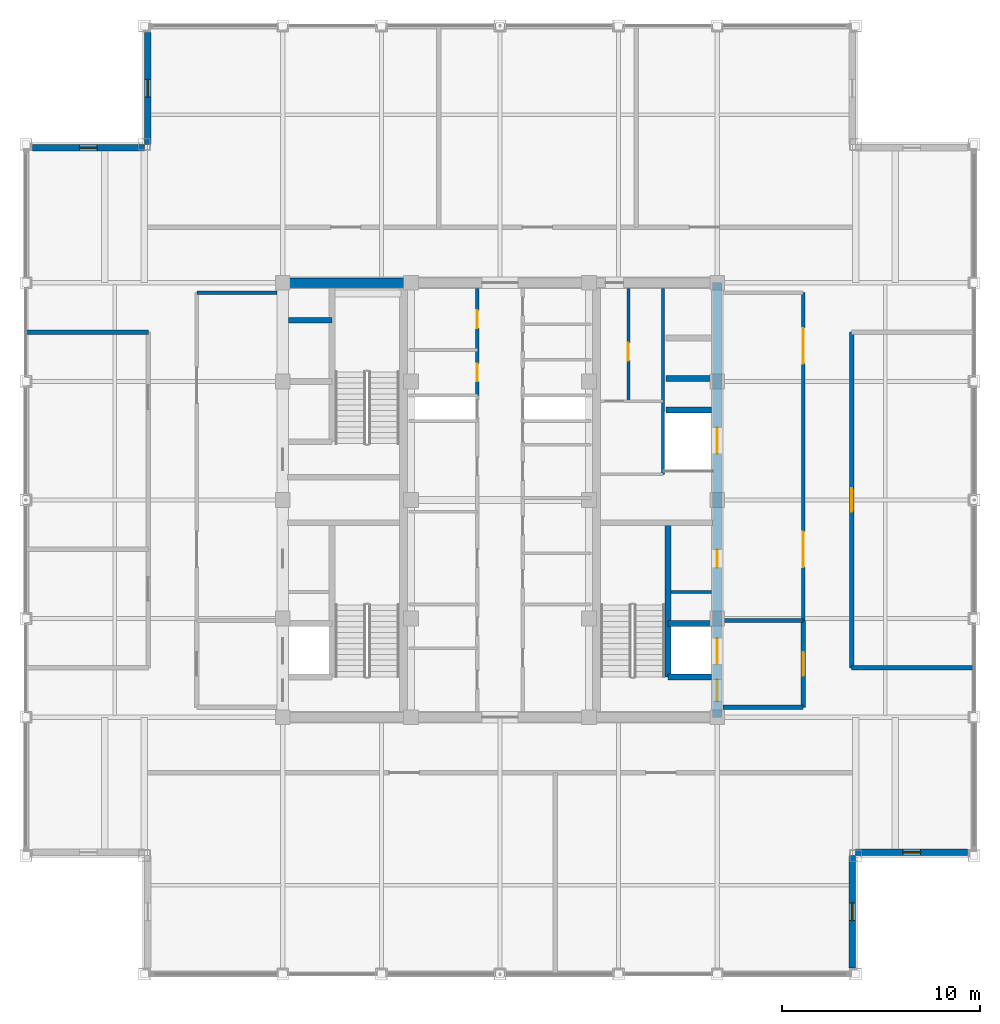
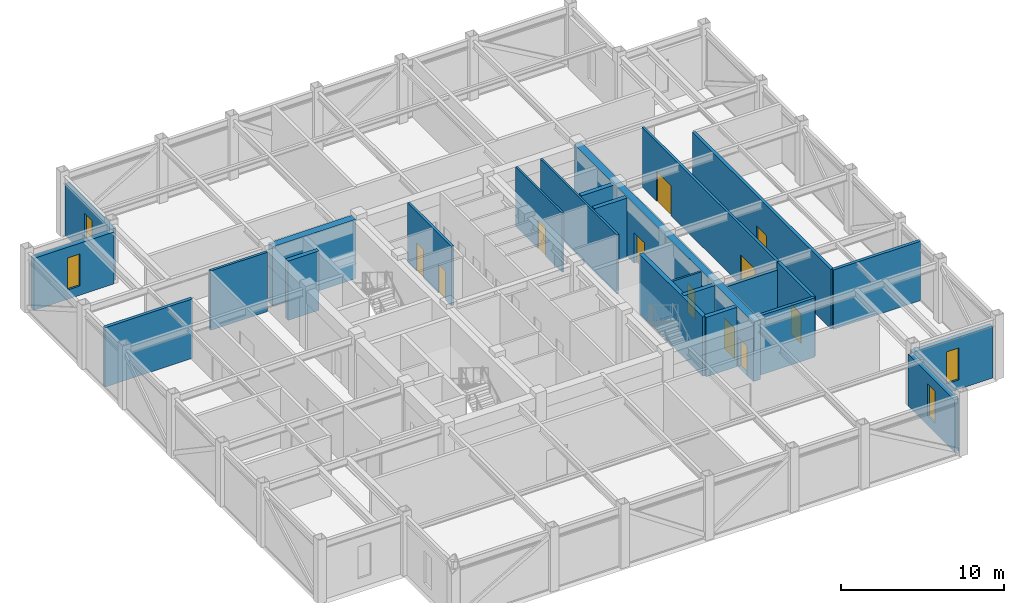
# One storey, part 25 of 27: 24 walls, 11 doors, 4 windows, 15 openings.
"""IFC4 building model written with IfcOpenShell, lengths in metres."""

from ifc_helpers import new_model, si_unit, direction, frame, frame_2d, origin, place, context, subcontext, project, spatial, rectangle, extrude, source, transform, mapped, material, layer, layer_set, type_object, element, fill, save


model = new_model("IFC4")

# Units and contexts
model_context = context("Model", 3, precision=1e-05, world=origin(), true_north=direction((0.0, 1.0)))
body_context = subcontext(model_context, "Body", "Model", "MODEL_VIEW")
ifc_project = project(units=[si_unit("LENGTHUNIT", "METRE"), si_unit("AREAUNIT", "SQUARE_METRE"), si_unit("VOLUMEUNIT", "CUBIC_METRE"), si_unit("PLANEANGLEUNIT", "RADIAN"), si_unit("MASSUNIT", "GRAM", prefix="KILO")], contexts=[model_context])

# Site, building, storey
site_placement = place(None, origin())
site = spatial("IfcSite", under=ifc_project, at=site_placement, CompositionType="ELEMENT")
building_placement = place(site_placement, origin())
building = spatial("IfcBuilding", under=site, at=building_placement, Name="Khorayat Bourse Tower", CompositionType="ELEMENT")
storey_placement = place(building_placement, frame((0.0, 0.0, 394.699951171875)))
storey = spatial("IfcBuildingStorey", under=building, at=storey_placement, Name="L93", CompositionType="ELEMENT", Elevation=394.699951171875)

# Wall, openings, doors
ifc_material_1 = material(Name="Concrete C52/65", Category="concrete")
ifc_layer_1 = layer(ifc_material_1, 0.5)
ifc_layer_set_1 = layer_set([ifc_layer_1], Name="Concrete C52/65")
wall_type_1 = type_object("IfcWallType", Name="WAL-CORE-500", PredefinedType="SHEAR", material=ifc_layer_set_1)
shared_shape_1 = source(origin(), body_context, "Body", "SweptSolid", [
    extrude(rectangle(XDim=22.0, YDim=0.5, at=frame_2d((11.0, 0.0))), origin(), (0.0, 0.0, 1.0), 4.449951171875),
])
wall_1_placement = place(storey_placement, frame((11.0, -11.0, 0.0), z_axis=(0.0, 0.0, 1.0), x_axis=(0.0, 1.0, 0.0)))
wall_1 = element("IfcWall", 1, at=wall_1_placement, inside=storey, type_object=wall_type_1, Name="L93 Core Shear Wall CORE-E", PredefinedType="SHEAR", context=body_context, shape_type="MappedRepresentation", body=[
    mapped(shared_shape_1, transform((0.0, 0.0, 0.0), scale=1.0)),
])
shared_shape_2 = source(origin(), body_context, "Body", "SweptSolid", [
    extrude(rectangle(XDim=1.10009765625, YDim=2.199951171875, at=frame_2d((0.550048828125, 1.10009765625))), frame((0.0, 0.260009765625, 0.0), z_axis=(0.0, -1.0, 0.0), x_axis=(1.0, 0.0, 0.0)), (0.0, 0.0, 1.0), 0.52001953125),
])
opening_1_placement = place(wall_1_placement, frame((0.800048828125, 0.0, 0.0)))
opening_1 = element("IfcOpeningElement", 2, at=opening_1_placement, cuts=wall_1, Name="Opening DI-01", PredefinedType="OPENING", context=body_context, shape_type="MappedRepresentation", body=[
    mapped(shared_shape_2, transform((0.0, 0.0, 0.0), scale=1.0)),
])
shared_shape_3 = source(origin(), body_context, "Body", "SweptSolid", [
    extrude(rectangle(XDim=0.89990234375, YDim=2.14990234375, at=frame_2d((0.449951171875, 1.074951171875))), frame((0.0, 0.260009765625, 0.0), z_axis=(0.0, -1.0, 0.0), x_axis=(1.0, 0.0, 0.0)), (0.0, 0.0, 1.0), 0.52001953125),
])
opening_2_placement = place(wall_1_placement, frame((7.574951171875, 0.0, 0.0)))
opening_2 = element("IfcOpeningElement", 3, at=opening_2_placement, cuts=wall_1, Name="Opening DI-06", PredefinedType="OPENING", context=body_context, shape_type="MappedRepresentation", body=[
    mapped(shared_shape_3, transform((0.0, 0.0, 0.0), scale=1.0)),
])
shared_shape_4 = source(origin(), body_context, "Body", "SweptSolid", [
    extrude(rectangle(XDim=1.300048828125, YDim=2.300048828125, at=frame_2d((0.64990234375, 1.14990234375))), frame((0.0, 0.260009765625, 0.0), z_axis=(0.0, -1.0, 0.0), x_axis=(1.0, 0.0, 0.0)), (0.0, 0.0, 1.0), 0.52001953125),
])
opening_3_placement = place(wall_1_placement, frame((2.699951171875, 0.0, 0.0)))
opening_3 = element("IfcOpeningElement", 4, at=opening_3_placement, cuts=wall_1, Name="Opening LD-02", PredefinedType="OPENING", context=body_context, shape_type="MappedRepresentation", body=[
    mapped(shared_shape_4, transform((0.0, 0.0, 0.0), scale=1.0)),
])
opening_4_placement = place(wall_1_placement, frame((13.35009765625, 0.0, 0.0)))
opening_4 = element("IfcOpeningElement", 5, at=opening_4_placement, cuts=wall_1, Name="Opening LD-02", PredefinedType="OPENING", context=body_context, shape_type="MappedRepresentation", body=[
    mapped(shared_shape_4, transform((0.0, 0.0, 0.0), scale=1.0)),
])
ifc_material_2 = material(Name="Fire-rated steel acoustic leaf", Category="steel")
door_type_1 = type_object("IfcDoorType", Name="DR-INT-STAIR-1100", OperationType="NOTDEFINED", PredefinedType="DOOR", material=ifc_material_2)
shared_shape_5 = source(origin(), body_context, "Body", "SweptSolid", [
    extrude(rectangle(XDim=1.10009765625, YDim=2.199951171875, at=frame_2d((0.550048828125, 1.10009765625))), frame((0.0, 0.02490234375, 0.0), z_axis=(0.0, -1.0, 0.0), x_axis=(1.0, 0.0, 0.0)), (0.0, 0.0, 1.0), 0.050048828125),
])
door_1_placement = place(opening_1_placement, origin())
door_1 = element("IfcDoor", 6, at=door_1_placement, inside=storey, type_object=door_type_1, Name="L93 Exit Stair 3 Door", OperationType="SINGLE_SWING_LEFT", OverallHeight=2.199951171875, OverallWidth=1.10009765625, PredefinedType="DOOR", context=body_context, shape_type="MappedRepresentation", body=[
    mapped(shared_shape_5, transform((0.0, 0.0, 0.0), scale=1.0)),
])
fill(opening_1, door_1)
ifc_material_3 = material(Name="Moisture-resistant laminate washroom door")
door_type_2 = type_object("IfcDoorType", Name="DR-INT-WC-900", OperationType="NOTDEFINED", PredefinedType="DOOR", material=ifc_material_3)
shared_shape_6 = source(origin(), body_context, "Body", "SweptSolid", [
    extrude(rectangle(XDim=0.89990234375, YDim=2.14990234375, at=frame_2d((0.449951171875, 1.074951171875))), frame((0.0, 0.02490234375, 0.0), z_axis=(0.0, -1.0, 0.0), x_axis=(1.0, 0.0, 0.0)), (0.0, 0.0, 1.0), 0.050048828125),
])
door_2_placement = place(opening_2_placement, origin())
door_2 = element("IfcDoor", 7, at=door_2_placement, inside=storey, type_object=door_type_2, Name="L93 Fiber Server Plant Room Door", OperationType="SINGLE_SWING_LEFT", OverallHeight=2.14990234375, OverallWidth=0.89990234375, PredefinedType="DOOR", context=body_context, shape_type="MappedRepresentation", body=[
    mapped(shared_shape_6, transform((0.0, 0.0, 0.0), scale=1.0)),
])
fill(opening_2, door_2)
ifc_material_4 = material(Name="Fire-rated stainless-steel sliding landing door", Category="steel")
door_type_3 = type_object("IfcDoorType", Name="DR-LIFT-FF-1300", OperationType="NOTDEFINED", PredefinedType="DOOR", material=ifc_material_4)
shared_shape_7 = source(origin(), body_context, "Body", "SweptSolid", [
    extrude(rectangle(XDim=1.300048828125, YDim=2.300048828125, at=frame_2d((0.64990234375, 1.14990234375))), frame((0.0, 0.02490234375, 0.0), z_axis=(0.0, -1.0, 0.0), x_axis=(1.0, 0.0, 0.0)), (0.0, 0.0, 1.0), 0.050048828125),
])
door_3_placement = place(opening_3_placement, origin())
door_3 = element("IfcDoor", 8, at=door_3_placement, inside=storey, type_object=door_type_3, Name="L93 Lift FFL-02 Sliding Landing Door", OperationType="SLIDING_TO_LEFT", OverallHeight=2.300048828125, OverallWidth=1.300048828125, PredefinedType="DOOR", context=body_context, shape_type="MappedRepresentation", body=[
    mapped(shared_shape_7, transform((0.0, 0.0, 0.0), scale=1.0)),
])
fill(opening_3, door_3)
door_4_placement = place(opening_4_placement, origin())
door_4 = element("IfcDoor", 9, at=door_4_placement, inside=storey, type_object=door_type_3, Name="L93 Lift SVL-01 Sliding Landing Door", OperationType="SLIDING_TO_LEFT", OverallHeight=2.300048828125, OverallWidth=1.300048828125, PredefinedType="DOOR", context=body_context, shape_type="MappedRepresentation", body=[
    mapped(shared_shape_7, transform((0.0, 0.0, 0.0), scale=1.0)),
])
fill(opening_4, door_4)

# Wall
shared_shape_8 = source(origin(), body_context, "Body", "SweptSolid", [
    extrude(rectangle(XDim=5.89990234375, YDim=0.5, at=frame_2d((2.949951171875, 0.0))), origin(), (0.0, 0.0, 1.0), 4.449951171875),
])
wall_2_placement = place(storey_placement, frame((-10.75, 11.0, 0.0), z_axis=(0.0, 0.0, 1.0), x_axis=(1.0, 0.0, 0.0)))
element("IfcWall", 10, at=wall_2_placement, inside=storey, type_object=wall_type_1, Name="L93 Core Shear Wall PIER-WN", PredefinedType="SHEAR", context=body_context, shape_type="MappedRepresentation", body=[
    mapped(shared_shape_8, transform((0.0, 0.0, 0.0), scale=1.0)),
])

# Wall, opening, window
ifc_material_5 = material(Name="Precast concrete C45/55", Category="concrete")
ifc_layer_2 = layer(ifc_material_5, 0.320068359375)
ifc_layer_set_2 = layer_set([ifc_layer_2], Name="Precast concrete C45/55")
wall_type_2 = type_object("IfcWallType", Name="WAL-EXT-STONE-320", PredefinedType="STANDARD", material=ifc_layer_set_2)
shared_shape_9 = source(origin(), body_context, "Body", "SweptSolid", [
    extrude(rectangle(XDim=5.679931640625, YDim=0.320068359375, at=frame_2d((2.83984375, 0.0))), origin(), (0.0, 0.0, 1.0), 3.901123046875),
])
wall_3_placement = place(storey_placement, frame((17.840087890625, -23.679931640625, 0.0), z_axis=(0.0, 0.0, 1.0), x_axis=(0.0, 1.0, 0.0)))
wall_3 = element("IfcWall", 11, at=wall_3_placement, inside=storey, type_object=wall_type_2, Name="L93 Re-Entrant Notch Limestone Wall SE-V", PredefinedType="STANDARD", context=body_context, shape_type="MappedRepresentation", body=[
    mapped(shared_shape_9, transform((0.0, 0.0, 0.0), scale=1.0)),
])
shared_shape_10 = source(origin(), body_context, "Body", "SweptSolid", [
    extrude(rectangle(XDim=0.89990234375, YDim=2.39990234375, at=frame_2d((0.449951171875, 1.199951171875))), frame((0.0, 0.169921875, 0.0), z_axis=(0.0, -1.0, 0.0), x_axis=(1.0, 0.0, 0.0)), (0.0, 0.0, 1.0), 0.340087890625),
])
opening_5_placement = place(wall_3_placement, frame((2.389892578125, 0.0, 0.699951171875)))
opening_5 = element("IfcOpeningElement", 12, at=opening_5_placement, cuts=wall_3, Name="Opening WN-03", PredefinedType="OPENING", context=body_context, shape_type="MappedRepresentation", body=[
    mapped(shared_shape_10, transform((0.0, 0.0, 0.0), scale=1.0)),
])
ifc_material_6 = material(Name="Deep-reveal solar-control double glazing", Category="glass")
window_type = type_object("IfcWindowType", Name="WIN-SLOT-900x2400", PartitioningType="SINGLE_PANEL", PredefinedType="WINDOW", material=ifc_material_6)
shared_shape_11 = source(origin(), body_context, "Body", "SweptSolid", [
    extrude(rectangle(XDim=0.89990234375, YDim=2.39990234375, at=frame_2d((0.449951171875, 1.199951171875))), frame((0.0, 0.030029296875, 0.0), z_axis=(0.0, -1.0, 0.0), x_axis=(1.0, 0.0, 0.0)), (0.0, 0.0, 1.0), 0.06005859375),
])
window_1_placement = place(opening_5_placement, origin())
window_1 = element("IfcWindow", 13, at=window_1_placement, inside=storey, type_object=window_type, Name="L93 Facade Window 1", OverallHeight=2.39990234375, OverallWidth=0.89990234375, PartitioningType="SINGLE_PANEL", PredefinedType="WINDOW", context=body_context, shape_type="MappedRepresentation", body=[
    mapped(shared_shape_11, transform((0.0, 0.0, 0.0), scale=1.0)),
])
fill(opening_5, window_1)

wall_4_placement = place(storey_placement, frame((18.0, -17.840087890625, 0.0), z_axis=(0.0, 0.0, 1.0), x_axis=(1.0, 0.0, 0.0)))
wall_4 = element("IfcWall", 14, at=wall_4_placement, inside=storey, type_object=wall_type_2, Name="L93 Re-Entrant Notch Limestone Wall SE-H", PredefinedType="STANDARD", context=body_context, shape_type="MappedRepresentation", body=[
    mapped(shared_shape_9, transform((0.0, 0.0, 0.0), scale=1.0)),
])
opening_6_placement = place(wall_4_placement, frame((2.389892578125, 0.0, 0.699951171875)))
opening_6 = element("IfcOpeningElement", 15, at=opening_6_placement, cuts=wall_4, Name="Opening WN-03", PredefinedType="OPENING", context=body_context, shape_type="MappedRepresentation", body=[
    mapped(shared_shape_10, transform((0.0, 0.0, 0.0), scale=1.0)),
])
window_2_placement = place(opening_6_placement, origin())
window_2 = element("IfcWindow", 16, at=window_2_placement, inside=storey, type_object=window_type, Name="L93 Facade Window 1", OverallHeight=2.39990234375, OverallWidth=0.89990234375, PartitioningType="SINGLE_PANEL", PredefinedType="WINDOW", context=body_context, shape_type="MappedRepresentation", body=[
    mapped(shared_shape_11, transform((0.0, 0.0, 0.0), scale=1.0)),
])
fill(opening_6, window_2)

wall_5_placement = place(storey_placement, frame((-17.840087890625, 18.0, 0.0), z_axis=(0.0, 0.0, 1.0), x_axis=(0.0, 1.0, 0.0)))
wall_5 = element("IfcWall", 17, at=wall_5_placement, inside=storey, type_object=wall_type_2, Name="L93 Re-Entrant Notch Limestone Wall NW-V", PredefinedType="STANDARD", context=body_context, shape_type="MappedRepresentation", body=[
    mapped(shared_shape_9, transform((0.0, 0.0, 0.0), scale=1.0)),
])
opening_7_placement = place(wall_5_placement, frame((2.389892578125, 0.0, 0.699951171875)))
opening_7 = element("IfcOpeningElement", 18, at=opening_7_placement, cuts=wall_5, Name="Opening WN-03", PredefinedType="OPENING", context=body_context, shape_type="MappedRepresentation", body=[
    mapped(shared_shape_10, transform((0.0, 0.0, 0.0), scale=1.0)),
])
window_3_placement = place(opening_7_placement, origin())
window_3 = element("IfcWindow", 19, at=window_3_placement, inside=storey, type_object=window_type, Name="L93 Facade Window 1", OverallHeight=2.39990234375, OverallWidth=0.89990234375, PartitioningType="SINGLE_PANEL", PredefinedType="WINDOW", context=body_context, shape_type="MappedRepresentation", body=[
    mapped(shared_shape_11, transform((0.0, 0.0, 0.0), scale=1.0)),
])
fill(opening_7, window_3)

wall_6_placement = place(storey_placement, frame((-18.0, 17.840087890625, 0.0), z_axis=(0.0, 0.0, 1.0), x_axis=(-1.0, 0.0, 0.0)))
wall_6 = element("IfcWall", 20, at=wall_6_placement, inside=storey, type_object=wall_type_2, Name="L93 Re-Entrant Notch Limestone Wall NW-H", PredefinedType="STANDARD", context=body_context, shape_type="MappedRepresentation", body=[
    mapped(shared_shape_9, transform((0.0, 0.0, 0.0), scale=1.0)),
])
opening_8_placement = place(wall_6_placement, frame((2.389892578125, 0.0, 0.699951171875)))
opening_8 = element("IfcOpeningElement", 21, at=opening_8_placement, cuts=wall_6, Name="Opening WN-03", PredefinedType="OPENING", context=body_context, shape_type="MappedRepresentation", body=[
    mapped(shared_shape_10, transform((0.0, 0.0, 0.0), scale=1.0)),
])
window_4_placement = place(opening_8_placement, origin())
window_4 = element("IfcWindow", 22, at=window_4_placement, inside=storey, type_object=window_type, Name="L93 Facade Window 1", OverallHeight=2.39990234375, OverallWidth=0.89990234375, PartitioningType="SINGLE_PANEL", PredefinedType="WINDOW", context=body_context, shape_type="MappedRepresentation", body=[
    mapped(shared_shape_11, transform((0.0, 0.0, 0.0), scale=1.0)),
])
fill(opening_8, window_4)

# Walls
ifc_material_7 = material(Name="Concrete C50/60", Category="concrete")
ifc_layer_3 = layer(ifc_material_7, 0.300048828125)
ifc_layer_set_3 = layer_set([ifc_layer_3], Name="Concrete C50/60")
wall_type_3 = type_object("IfcWallType", Name="WAL-SHAFT-300", PredefinedType="SHEAR", material=ifc_layer_set_3)
shared_shape_12 = source(origin(), body_context, "Body", "SweptSolid", [
    extrude(rectangle(XDim=7.800048828125, YDim=0.300048828125, at=frame_2d((3.89990234375, 0.0))), origin(), (0.0, 0.0, 1.0), 4.449951171875),
])
wall_7_placement = place(storey_placement, frame((8.5, -8.949951171875, 0.0), z_axis=(0.0, 0.0, 1.0), x_axis=(0.0, 1.0, 0.0)))
element("IfcWall", 23, at=wall_7_placement, inside=storey, type_object=wall_type_3, Name="L93 Partition WAL-L93-EPIER-SP", PredefinedType="SHEAR", context=body_context, shape_type="MappedRepresentation", body=[
    mapped(shared_shape_12, transform((0.0, 0.0, 0.0), scale=1.0)),
])
shared_shape_13 = source(origin(), body_context, "Body", "SweptSolid", [
    extrude(rectangle(XDim=2.199951171875, YDim=0.300048828125, at=frame_2d((1.10009765625, 0.0))), origin(), (0.0, 0.0, 1.0), 4.449951171875),
])
for number, where, z_axis, x_axis, name in (
    (24, (-10.699951171875, 9.10009765625, 0.0), (0.0, 0.0, 1.0), (1.0, 0.0, 0.0), "L93 Partition WAL-L93-WPIER-H2N"),
    (25, (8.5, -8.949951171875, 0.0), (0.0, 0.0, 1.0), (1.0, 0.0, 0.0), "L93 Partition WAL-L93-EPIER-FF2S"),
    (26, (8.5, -6.25, 0.0), (0.0, 0.0, 1.0), (1.0, 0.0, 0.0), "L93 Partition WAL-L93-EPIER-FF2N"),
):
    element("IfcWall", number, at=place(storey_placement, frame(where, z_axis=z_axis, x_axis=x_axis)), inside=storey, type_object=wall_type_3, Name=name, PredefinedType="SHEAR", context=body_context, shape_type="MappedRepresentation", body=[
        mapped(shared_shape_13, transform((0.0, 0.0, 0.0), scale=1.0)),
    ])
shared_shape_14 = source(origin(), body_context, "Body", "SweptSolid", [
    extrude(rectangle(XDim=2.300048828125, YDim=0.300048828125, at=frame_2d((1.14990234375, 0.0))), origin(), (0.0, 0.0, 1.0), 4.449951171875),
])
for number, where, z_axis, x_axis, name in (
    (27, (8.39990234375, 4.550048828125, 0.0), (0.0, 0.0, 1.0), (1.0, 0.0, 0.0), "L93 Partition WAL-L93-EPIER-SVLN"),
    (28, (8.39990234375, 6.14990234375, 0.0), (0.0, 0.0, 1.0), (1.0, 0.0, 0.0), "L93 Partition WAL-L93-EPIER-H3S"),
):
    element("IfcWall", number, at=place(storey_placement, frame(where, z_axis=z_axis, x_axis=x_axis)), inside=storey, type_object=wall_type_3, Name=name, PredefinedType="SHEAR", context=body_context, shape_type="MappedRepresentation", body=[
        mapped(shared_shape_14, transform((0.0, 0.0, 0.0), scale=1.0)),
    ])
ifc_material_8 = material(Name="Gypsum plasterboard twin-frame partition")
ifc_layer_4 = layer(ifc_material_8, 0.14990234375)
ifc_layer_set_4 = layer_set([ifc_layer_4], Name="Gypsum plasterboard twin-frame partition")
wall_type_4 = type_object("IfcWallType", Name="WAL-PART-SUITE-150", PredefinedType="PARTITIONING", material=ifc_layer_set_4)
shared_shape_15 = source(origin(), body_context, "Body", "SweptSolid", [
    extrude(rectangle(XDim=2.050048828125, YDim=0.14990234375, at=frame_2d((1.02490234375, 0.0))), origin(), (0.0, 0.0, 1.0), 4.449951171875),
])
wall_8_placement = place(storey_placement, frame((8.64990234375, -4.64990234375, 0.0), z_axis=(0.0, 0.0, 1.0), x_axis=(1.0, 0.0, 0.0)))
element("IfcWall", 29, at=wall_8_placement, inside=storey, type_object=wall_type_4, Name="L93 Partition WAL-L93-ESRV-S0", PredefinedType="PARTITIONING", context=body_context, shape_type="MappedRepresentation", body=[
    mapped(shared_shape_15, transform((0.0, 0.0, 0.0), scale=1.0)),
])
ifc_material_9 = material(Name="Moisture-resistant masonry partition", Category="masonry")
ifc_layer_5 = layer(ifc_material_9, 0.139892578125)
ifc_layer_set_5 = layer_set([ifc_layer_5], Name="Moisture-resistant masonry partition")
wall_type_5 = type_object("IfcWallType", Name="WAL-PART-WET-140", PredefinedType="PARTITIONING", material=ifc_layer_set_5)
shared_shape_16 = source(origin(), body_context, "Body", "SweptSolid", [
    extrude(rectangle(XDim=9.39990234375, YDim=0.139892578125, at=frame_2d((4.699951171875, 0.0))), origin(), (0.0, 0.0, 1.0), 4.449951171875),
])
wall_9_placement = place(storey_placement, frame((8.25, 1.300048828125, 0.0), z_axis=(0.0, 0.0, 1.0), x_axis=(0.0, 1.0, 0.0)))
element("IfcWall", 30, at=wall_9_placement, inside=storey, type_object=wall_type_5, Name="L93 Partition WAL-L93-ECORE-E", PredefinedType="PARTITIONING", context=body_context, shape_type="MappedRepresentation", body=[
    mapped(shared_shape_16, transform((0.0, 0.0, 0.0), scale=1.0)),
])

# Wall, opening, door
shared_shape_17 = source(origin(), body_context, "Body", "SweptSolid", [
    extrude(rectangle(XDim=5.699951171875, YDim=0.139892578125, at=frame_2d((2.85009765625, 0.0))), origin(), (0.0, 0.0, 1.0), 4.449951171875),
])
wall_10_placement = place(storey_placement, frame((6.5, 5.0, 0.0), z_axis=(0.0, 0.0, 1.0), x_axis=(0.0, 1.0, 0.0)))
wall_10 = element("IfcWall", 31, at=wall_10_placement, inside=storey, type_object=wall_type_5, Name="L93 Partition WAL-L93-ECW-MID", PredefinedType="PARTITIONING", context=body_context, shape_type="MappedRepresentation", body=[
    mapped(shared_shape_17, transform((0.0, 0.0, 0.0), scale=1.0)),
])
shared_shape_18 = source(origin(), body_context, "Body", "SweptSolid", [
    extrude(rectangle(XDim=0.89990234375, YDim=2.14990234375, at=frame_2d((0.449951171875, 1.074951171875))), frame((0.0, 0.079833984375, 0.0), z_axis=(0.0, -1.0, 0.0), x_axis=(1.0, 0.0, 0.0)), (0.0, 0.0, 1.0), 0.159912109375),
])
opening_9_placement = place(wall_10_placement, frame((2.050048828125, 0.0, 0.0)))
opening_9 = element("IfcOpeningElement", 32, at=opening_9_placement, cuts=wall_10, Name="Opening DI-06", PredefinedType="OPENING", context=body_context, shape_type="MappedRepresentation", body=[
    mapped(shared_shape_18, transform((0.0, 0.0, 0.0), scale=1.0)),
])
door_5_placement = place(opening_9_placement, origin())
door_5 = element("IfcDoor", 33, at=door_5_placement, inside=storey, type_object=door_type_2, Name="L93 Accessible WC Door", OperationType="SINGLE_SWING_RIGHT", OverallHeight=2.14990234375, OverallWidth=0.89990234375, PredefinedType="DOOR", context=body_context, shape_type="MappedRepresentation", body=[
    mapped(shared_shape_6, transform((0.0, 0.0, 0.0), scale=1.0)),
])
fill(opening_9, door_5)

# Wall
ifc_material_10 = material(Name="Aerated concrete blockwork", Category="masonry")
ifc_layer_6 = layer(ifc_material_10, 0.219970703125)
ifc_layer_set_6 = layer_set([ifc_layer_6], Name="Aerated concrete blockwork")
wall_type_6 = type_object("IfcWallType", Name="WAL-PART-FF-220", PredefinedType="PARTITIONING", material=ifc_layer_set_6)
shared_shape_19 = source(origin(), body_context, "Body", "SweptSolid", [
    extrude(rectangle(XDim=4.050048828125, YDim=0.219970703125, at=frame_2d((2.02490234375, 0.0))), origin(), (0.0, 0.0, 1.0), 4.449951171875),
])
wall_11_placement = place(storey_placement, frame((11.300048828125, -10.5, 0.0), z_axis=(0.0, 0.0, 1.0), x_axis=(1.0, 0.0, 0.0)))
element("IfcWall", 34, at=wall_11_placement, inside=storey, type_object=wall_type_6, Name="L93 Partition WAL-L93-FFLE-S", PredefinedType="PARTITIONING", context=body_context, shape_type="MappedRepresentation", body=[
    mapped(shared_shape_19, transform((0.0, 0.0, 0.0), scale=1.0)),
])

# Wall, opening, door
shared_shape_20 = source(origin(), body_context, "Body", "SweptSolid", [
    extrude(rectangle(XDim=4.39990234375, YDim=0.219970703125, at=frame_2d((2.199951171875, 0.0))), origin(), (0.0, 0.0, 1.0), 4.449951171875),
])
wall_12_placement = place(storey_placement, frame((15.35009765625, -10.5, 0.0), z_axis=(0.0, 0.0, 1.0), x_axis=(0.0, 1.0, 0.0)))
wall_12 = element("IfcWall", 35, at=wall_12_placement, inside=storey, type_object=wall_type_6, Name="L93 Partition WAL-L93-FFLE-E", PredefinedType="PARTITIONING", context=body_context, shape_type="MappedRepresentation", body=[
    mapped(shared_shape_20, transform((0.0, 0.0, 0.0), scale=1.0)),
])
shared_shape_21 = source(origin(), body_context, "Body", "SweptSolid", [
    extrude(rectangle(XDim=1.199951171875, YDim=2.199951171875, at=frame_2d((0.60009765625, 1.10009765625))), frame((0.0, 0.119873046875, 0.0), z_axis=(0.0, -1.0, 0.0), x_axis=(1.0, 0.0, 0.0)), (0.0, 0.0, 1.0), 0.239990234375),
])
opening_10_placement = place(wall_12_placement, frame((1.60009765625, 0.0, 0.0)))
opening_10 = element("IfcOpeningElement", 36, at=opening_10_placement, cuts=wall_12, Name="Opening DI-02", PredefinedType="OPENING", context=body_context, shape_type="MappedRepresentation", body=[
    mapped(shared_shape_21, transform((0.0, 0.0, 0.0), scale=1.0)),
])
ifc_material_11 = material(Name="Fire-rated steel double-seal leaf", Category="steel")
door_type_4 = type_object("IfcDoorType", Name="DR-INT-FFLOBBY-1200", OperationType="NOTDEFINED", PredefinedType="DOOR", material=ifc_material_11)
shared_shape_22 = source(origin(), body_context, "Body", "SweptSolid", [
    extrude(rectangle(XDim=1.199951171875, YDim=2.199951171875, at=frame_2d((0.60009765625, 1.10009765625))), frame((0.0, 0.02490234375, 0.0), z_axis=(0.0, -1.0, 0.0), x_axis=(1.0, 0.0, 0.0)), (0.0, 0.0, 1.0), 0.050048828125),
])
door_6_placement = place(opening_10_placement, origin())
door_6 = element("IfcDoor", 37, at=door_6_placement, inside=storey, type_object=door_type_4, Name="L93 East Firefighting Lobby Door", OperationType="SINGLE_SWING_RIGHT", OverallHeight=2.199951171875, OverallWidth=1.199951171875, PredefinedType="DOOR", context=body_context, shape_type="MappedRepresentation", body=[
    mapped(shared_shape_22, transform((0.0, 0.0, 0.0), scale=1.0)),
])
fill(opening_10, door_6)

# Wall
ifc_material_12 = material(Name="Gypsum plasterboard acoustic stud wall")
ifc_layer_7 = layer(ifc_material_12, 0.179931640625)
ifc_layer_set_7 = layer_set([ifc_layer_7], Name="Gypsum plasterboard acoustic stud wall")
wall_type_7 = type_object("IfcWallType", Name="WAL-PART-CORR-180", PredefinedType="PARTITIONING", material=ifc_layer_set_7)
shared_shape_23 = source(origin(), body_context, "Body", "SweptSolid", [
    extrude(rectangle(XDim=4.050048828125, YDim=0.179931640625, at=frame_2d((2.02490234375, 0.0))), origin(), (0.0, 0.0, 1.0), 4.449951171875),
])
wall_13_placement = place(storey_placement, frame((-15.35009765625, 10.5, 0.0), z_axis=(0.0, 0.0, 1.0), x_axis=(1.0, 0.0, 0.0)))
element("IfcWall", 38, at=wall_13_placement, inside=storey, type_object=wall_type_7, Name="L93 Partition WAL-L93-WLOB-N", PredefinedType="PARTITIONING", context=body_context, shape_type="MappedRepresentation", body=[
    mapped(shared_shape_23, transform((0.0, 0.0, 0.0), scale=1.0)),
])

# Wall, openings, doors
shared_shape_24 = source(origin(), body_context, "Body", "SweptSolid", [
    extrude(rectangle(XDim=16.60009765625, YDim=0.179931640625, at=frame_2d((8.300048828125, 0.0))), origin(), (0.0, 0.0, 1.0), 4.449951171875),
])
wall_14_placement = place(storey_placement, frame((15.35009765625, -6.10009765625, 0.0), z_axis=(0.0, 0.0, 1.0), x_axis=(0.0, 1.0, 0.0)))
wall_14 = element("IfcWall", 39, at=wall_14_placement, inside=storey, type_object=wall_type_7, Name="L93 Partition WAL-L93-ELOB-E", PredefinedType="PARTITIONING", context=body_context, shape_type="MappedRepresentation", body=[
    mapped(shared_shape_24, transform((0.0, 0.0, 0.0), scale=1.0)),
])
shared_shape_25 = source(origin(), body_context, "Body", "SweptSolid", [
    extrude(rectangle(XDim=1.800048828125, YDim=2.25, at=frame_2d((0.89990234375, 1.125))), frame((0.0, 0.099853515625, 0.0), z_axis=(0.0, -1.0, 0.0), x_axis=(1.0, 0.0, 0.0)), (0.0, 0.0, 1.0), 0.199951171875),
])
opening_11_placement = place(wall_14_placement, frame((2.699951171875, 0.0, 0.0)))
opening_11 = element("IfcOpeningElement", 40, at=opening_11_placement, cuts=wall_14, Name="Opening DI-03", PredefinedType="OPENING", context=body_context, shape_type="MappedRepresentation", body=[
    mapped(shared_shape_25, transform((0.0, 0.0, 0.0), scale=1.0)),
])
opening_12_placement = place(wall_14_placement, frame((13.0, 0.0, 0.0)))
opening_12 = element("IfcOpeningElement", 41, at=opening_12_placement, cuts=wall_14, Name="Opening DI-03", PredefinedType="OPENING", context=body_context, shape_type="MappedRepresentation", body=[
    mapped(shared_shape_25, transform((0.0, 0.0, 0.0), scale=1.0)),
])
ifc_material_13 = material(Name="Fire-rated hardwood vision-panel double leaf", Category="wood")
door_type_5 = type_object("IfcDoorType", Name="DR-INT-CORR-1800", OperationType="NOTDEFINED", PredefinedType="DOOR", material=ifc_material_13)
shared_shape_26 = source(origin(), body_context, "Body", "SweptSolid", [
    extrude(rectangle(XDim=1.800048828125, YDim=2.25, at=frame_2d((0.89990234375, 1.125))), frame((0.0, 0.02490234375, 0.0), z_axis=(0.0, -1.0, 0.0), x_axis=(1.0, 0.0, 0.0)), (0.0, 0.0, 1.0), 0.050048828125),
])
door_7_placement = place(opening_11_placement, origin())
door_7 = element("IfcDoor", 42, at=door_7_placement, inside=storey, type_object=door_type_5, Name="L93 East Core Lobby South Door", OperationType="SINGLE_SWING_RIGHT", OverallHeight=2.25, OverallWidth=1.800048828125, PredefinedType="DOOR", context=body_context, shape_type="MappedRepresentation", body=[
    mapped(shared_shape_26, transform((0.0, 0.0, 0.0), scale=1.0)),
])
fill(opening_11, door_7)
door_8_placement = place(opening_12_placement, origin())
door_8 = element("IfcDoor", 43, at=door_8_placement, inside=storey, type_object=door_type_5, Name="L93 East Core Lobby North Door", OperationType="SINGLE_SWING_LEFT", OverallHeight=2.25, OverallWidth=1.800048828125, PredefinedType="DOOR", context=body_context, shape_type="MappedRepresentation", body=[
    mapped(shared_shape_26, transform((0.0, 0.0, 0.0), scale=1.0)),
])
fill(opening_12, door_8)

shared_shape_27 = source(origin(), body_context, "Body", "SweptSolid", [
    extrude(rectangle(XDim=5.39990234375, YDim=0.179931640625, at=frame_2d((2.699951171875, 0.0))), origin(), (0.0, 0.0, 1.0), 4.449951171875),
])
wall_15_placement = place(storey_placement, frame((-1.14990234375, 5.300048828125, 0.0), z_axis=(0.0, 0.0, 1.0), x_axis=(0.0, 1.0, 0.0)))
wall_15 = element("IfcWall", 44, at=wall_15_placement, inside=storey, type_object=wall_type_7, Name="L93 Partition WAL-L93-FB2W-L", PredefinedType="PARTITIONING", context=body_context, shape_type="MappedRepresentation", body=[
    mapped(shared_shape_27, transform((0.0, 0.0, 0.0), scale=1.0)),
])
shared_shape_28 = source(origin(), body_context, "Body", "SweptSolid", [
    extrude(rectangle(XDim=0.89990234375, YDim=2.14990234375, at=frame_2d((0.449951171875, 1.074951171875))), frame((0.0, 0.099853515625, 0.0), z_axis=(0.0, -1.0, 0.0), x_axis=(1.0, 0.0, 0.0)), (0.0, 0.0, 1.0), 0.199951171875),
])
opening_13_placement = place(wall_15_placement, frame((0.699951171875, 0.0, 0.0)))
opening_13 = element("IfcOpeningElement", 45, at=opening_13_placement, cuts=wall_15, Name="Opening DI-06", PredefinedType="OPENING", context=body_context, shape_type="MappedRepresentation", body=[
    mapped(shared_shape_28, transform((0.0, 0.0, 0.0), scale=1.0)),
])
opening_14_placement = place(wall_15_placement, frame((3.39990234375, 0.0, 0.0)))
opening_14 = element("IfcOpeningElement", 46, at=opening_14_placement, cuts=wall_15, Name="Opening DI-06", PredefinedType="OPENING", context=body_context, shape_type="MappedRepresentation", body=[
    mapped(shared_shape_28, transform((0.0, 0.0, 0.0), scale=1.0)),
])
door_9_placement = place(opening_13_placement, origin())
door_9 = element("IfcDoor", 47, at=door_9_placement, inside=storey, type_object=door_type_2, Name="L93 Board Archive Store Door", OperationType="SINGLE_SWING_RIGHT", OverallHeight=2.14990234375, OverallWidth=0.89990234375, PredefinedType="DOOR", context=body_context, shape_type="MappedRepresentation", body=[
    mapped(shared_shape_6, transform((0.0, 0.0, 0.0), scale=1.0)),
])
fill(opening_13, door_9)
door_10_placement = place(opening_14_placement, origin())
door_10 = element("IfcDoor", 48, at=door_10_placement, inside=storey, type_object=door_type_2, Name="L93 Smoke Control Plant Room Door", OperationType="SINGLE_SWING_LEFT", OverallHeight=2.14990234375, OverallWidth=0.89990234375, PredefinedType="DOOR", context=body_context, shape_type="MappedRepresentation", body=[
    mapped(shared_shape_6, transform((0.0, 0.0, 0.0), scale=1.0)),
])
fill(opening_14, door_10)

# Walls
shared_shape_29 = source(origin(), body_context, "Body", "SweptSolid", [
    extrude(rectangle(XDim=6.199951171875, YDim=0.219970703125, at=frame_2d((3.10009765625, 0.0))), origin(), (0.0, 0.0, 1.0), 4.449951171875),
])
for number, where, z_axis, x_axis, name in (
    (49, (-24.0, 8.5, 0.0), (0.0, 0.0, 1.0), (1.0, 0.0, 0.0), "L93 Partition WAL-L93-PLW-N"),
    (50, (17.800048828125, -8.5, 0.0), (0.0, 0.0, 1.0), (1.0, 0.0, 0.0), "L93 Partition WAL-L93-PLE-S"),
):
    element("IfcWall", number, at=place(storey_placement, frame(where, z_axis=z_axis, x_axis=x_axis)), inside=storey, type_object=wall_type_6, Name=name, PredefinedType="PARTITIONING", context=body_context, shape_type="MappedRepresentation", body=[
        mapped(shared_shape_29, transform((0.0, 0.0, 0.0), scale=1.0)),
    ])

# Wall, opening, door
shared_shape_30 = source(origin(), body_context, "Body", "SweptSolid", [
    extrude(rectangle(XDim=17.0, YDim=0.219970703125, at=frame_2d((8.5, 0.0))), origin(), (0.0, 0.0, 1.0), 4.449951171875),
])
wall_16_placement = place(storey_placement, frame((17.800048828125, -8.5, 0.0), z_axis=(0.0, 0.0, 1.0), x_axis=(0.0, 1.0, 0.0)))
wall_16 = element("IfcWall", 51, at=wall_16_placement, inside=storey, type_object=wall_type_6, Name="L93 Partition WAL-L93-PLE-W", PredefinedType="PARTITIONING", context=body_context, shape_type="MappedRepresentation", body=[
    mapped(shared_shape_30, transform((0.0, 0.0, 0.0), scale=1.0)),
])
opening_15_placement = place(wall_16_placement, frame((7.89990234375, 0.0, 0.0)))
opening_15 = element("IfcOpeningElement", 52, at=opening_15_placement, cuts=wall_16, Name="Opening DI-02", PredefinedType="OPENING", context=body_context, shape_type="MappedRepresentation", body=[
    mapped(shared_shape_21, transform((0.0, 0.0, 0.0), scale=1.0)),
])
door_11_placement = place(opening_15_placement, origin())
door_11 = element("IfcDoor", 53, at=door_11_placement, inside=storey, type_object=door_type_4, Name="L93 Lift Machine Plant Door", OperationType="SINGLE_SWING_RIGHT", OverallHeight=2.199951171875, OverallWidth=1.199951171875, PredefinedType="DOOR", context=body_context, shape_type="MappedRepresentation", body=[
    mapped(shared_shape_22, transform((0.0, 0.0, 0.0), scale=1.0)),
])
fill(opening_15, door_11)

# Wall
shared_shape_31 = source(origin(), body_context, "Body", "SweptSolid", [
    extrude(rectangle(XDim=4.050048828125, YDim=0.219970703125, at=frame_2d((2.02490234375, 0.0))), origin(), (0.0, 0.0, 1.0), 3.901123046875),
])
wall_17_placement = place(storey_placement, frame((11.300048828125, -6.10009765625, 0.0), z_axis=(0.0, 0.0, 1.0), x_axis=(1.0, 0.0, 0.0)))
element("IfcWall", 54, at=wall_17_placement, inside=storey, type_object=wall_type_6, Name="L93 Partition WAL-L93-FFLE-N", PredefinedType="PARTITIONING", context=body_context, shape_type="MappedRepresentation", body=[
    mapped(shared_shape_31, transform((0.0, 0.0, 0.0), scale=1.0)),
])

save(model, "model.ifc")
